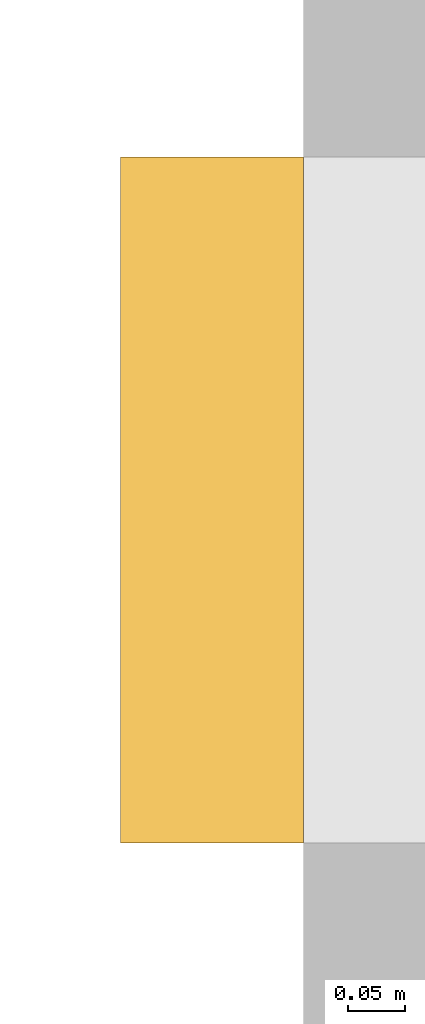
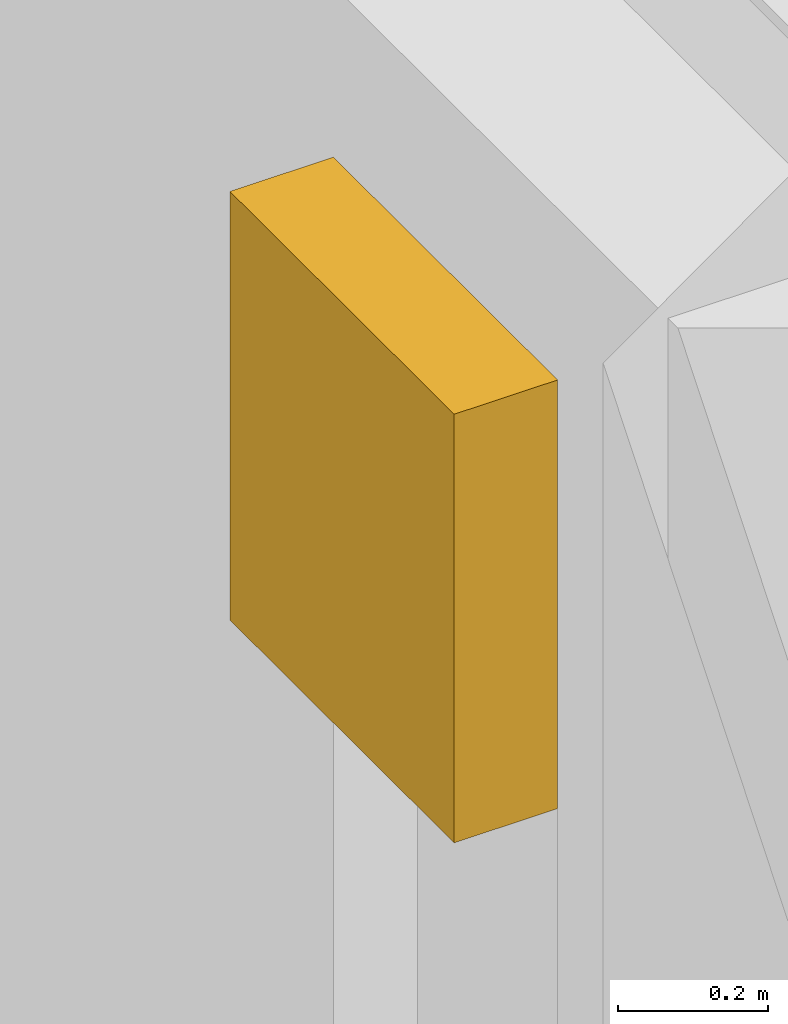
# One storey, part 12 of 12: 1 shading device.
"""IFC4 building model written with IfcOpenShell, lengths in metres."""

from ifc_helpers import new_model, si_unit, direction, frame, origin, origin_2d, place, context, subcontext, project, spatial, rectangle, extrude, material, type_object, element, save


model = new_model("IFC4")

# Units and contexts
model_context = context("Model", 3, precision=1e-05, world=origin(), true_north=direction((0.0, 1.0)))
body_context = subcontext(model_context, "Body", "Model", "MODEL_VIEW")
ifc_project = project(units=[si_unit("LENGTHUNIT", "METRE"), si_unit("AREAUNIT", "SQUARE_METRE"), si_unit("VOLUMEUNIT", "CUBIC_METRE"), si_unit("PLANEANGLEUNIT", "RADIAN"), si_unit("MASSUNIT", "GRAM", prefix="KILO")], contexts=[model_context])

# Site, building, storey
site_placement = place(None, origin())
site = spatial("IfcSite", under=ifc_project, at=site_placement, CompositionType="ELEMENT")
building_placement = place(site_placement, origin())
building = spatial("IfcBuilding", under=site, at=building_placement, Name="Orvandelia Arch Residences", CompositionType="ELEMENT")
storey_placement = place(building_placement, frame((0.0, 0.0, 39.39990234375)))
storey = spatial("IfcBuildingStorey", under=building, at=storey_placement, Name="L09", CompositionType="ELEMENT", Elevation=39.39990234375)

# Shading device
ifc_material = material(Name="Anodised Champagne-Bronze Extruded Aluminium", Category="aluminium")
shading_device_type = type_object("IfcShadingDeviceType", Name="SHD-JALOUSIE-SCREEN", PredefinedType="JALOUSIE", material=ifc_material)
shading_device_placement = place(storey_placement, frame((4.719970703125, 25.14501953125, 1.55029296875), z_axis=(0.0, 0.0, 1.0), x_axis=(0.0, 1.0, 0.0)))
element("IfcShadingDevice", 1, at=shading_device_placement, inside=storey, type_object=shading_device_type, Name="Bronze Jalousie Sun-Shade L09-011", PredefinedType="JALOUSIE", context=body_context, shape_type="SweptSolid", body=[
    extrude(rectangle(XDim=0.60009765625, YDim=0.159912109375, at=origin_2d()), origin(), (0.0, 0.0, 1.0), 0.699951171875),
])

save(model, "model.ifc")
